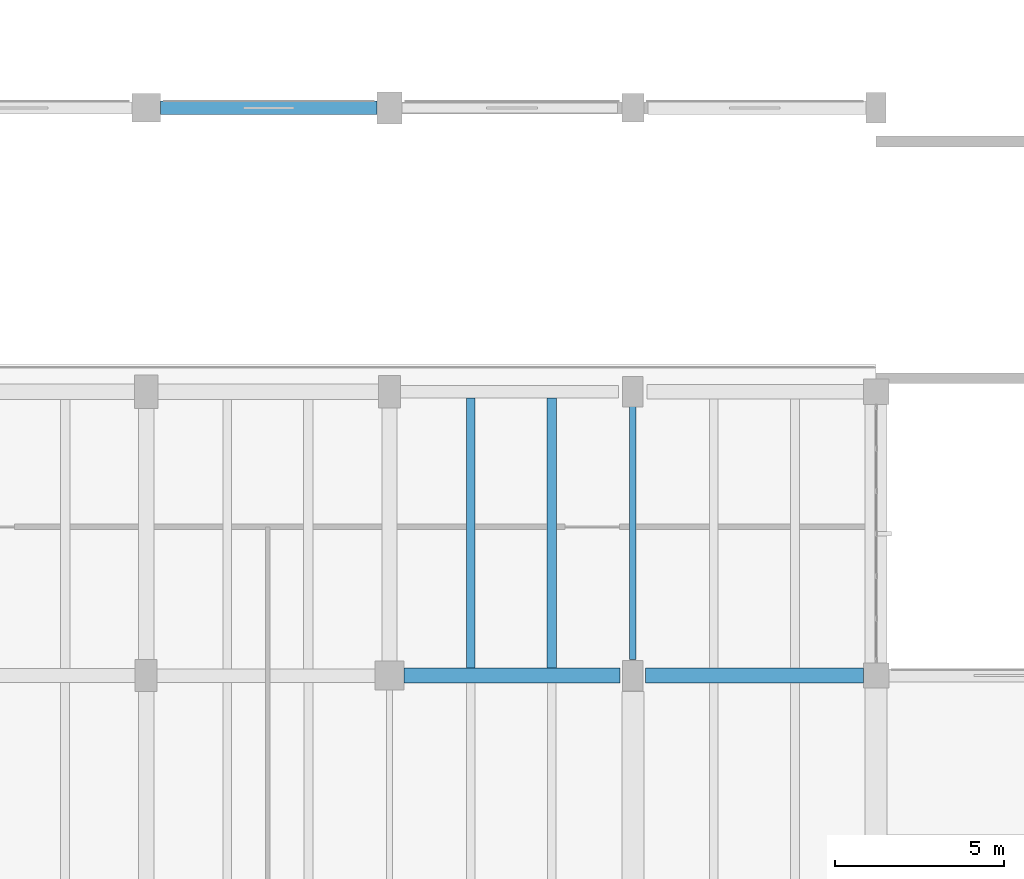
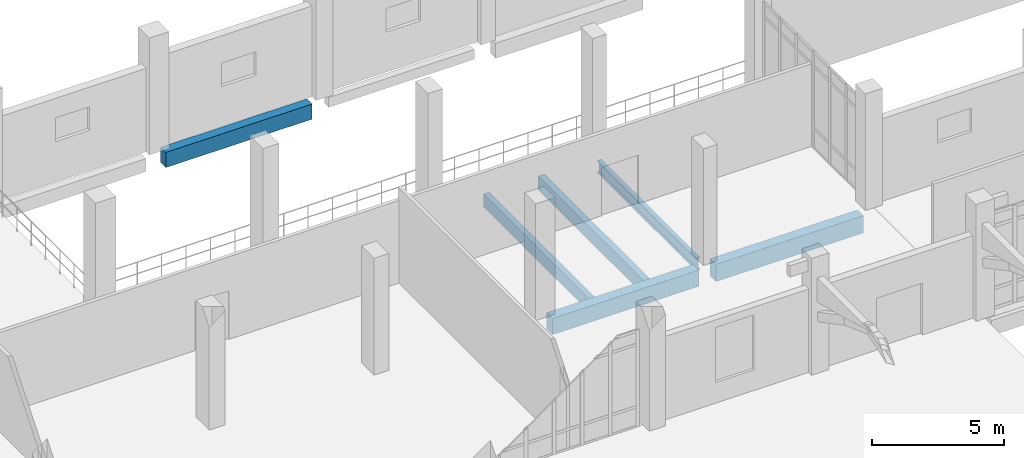
# One storey, part 57 of 110: 6 beams.
"""IFC4 building model written with IfcOpenShell, lengths in metres."""

from ifc_helpers import new_model, si_unit, direction, frame, origin, origin_2d, place, context, subcontext, project, spatial, rectangle, i_section, extrude, material, material_profile, profile_set, type_object, element, save


model = new_model("IFC4")

# Units and contexts
model_context = context("Model", 3, precision=1e-05, world=origin(), true_north=direction((0.0, 1.0)))
body_context = subcontext(model_context, "Body", "Model", "MODEL_VIEW")
ifc_project = project(units=[si_unit("LENGTHUNIT", "METRE"), si_unit("AREAUNIT", "SQUARE_METRE"), si_unit("VOLUMEUNIT", "CUBIC_METRE"), si_unit("PLANEANGLEUNIT", "RADIAN"), si_unit("MASSUNIT", "GRAM", prefix="KILO")], contexts=[model_context])

# Site, building, storey
site_placement = place(None, origin())
site = spatial("IfcSite", under=ifc_project, at=site_placement, CompositionType="ELEMENT")
building_placement = place(site_placement, origin())
building = spatial("IfcBuilding", under=site, at=building_placement, Name="Kalluvel Institute of Natural Sciences", CompositionType="ELEMENT")
storey_placement = place(building_placement, origin())
storey = spatial("IfcBuildingStorey", under=building, at=storey_placement, Name="L00", CompositionType="ELEMENT", Elevation=0.0)

# Beams
ifc_material_1 = material(Name="Steel E350 Grade 350", Category="steel")
ifc_material_profile_1 = material_profile(ifc_material_1, i_section(OverallWidth=0.18994140625, OverallDepth=0.550048828125, WebThickness=0.01123046875, FlangeThickness=0.019287109375, FilletRadius=0.01806640625, at=origin_2d()), Name="ISMB 550")
ifc_profile_set_1 = profile_set([ifc_material_profile_1], Name="Steel E350 Grade 350")
beam_type_1 = type_object("IfcBeamType", Name="BM-ISMB550", PredefinedType="BEAM", material=ifc_profile_set_1)
beam_1_placement = place(storey_placement, frame((107.60009765625, 111.675048828125, -0.594970703125), z_axis=(0.0, 1.0, 0.0), x_axis=(-1.0, 0.0, 0.0)))
element("IfcBeam", 1, at=beam_1_placement, inside=storey, type_object=beam_type_1, Name="L00 girder GIR-L00-NS-X1076-Y1112", PredefinedType="BEAM", context=body_context, shape_type="SweptSolid", body=[
    extrude(i_section(OverallWidth=0.18994140625, OverallDepth=0.550048828125, WebThickness=0.01123046875, FlangeThickness=0.019287109375, FilletRadius=0.01806640625, at=origin_2d()), origin(), (0.0, 0.0, 1.0), 7.5),
])
ifc_material_2 = material(Name="Concrete M40", Category="concrete")
ifc_material_profile_2 = material_profile(ifc_material_2, rectangle(XDim=0.449951171875, YDim=0.75, at=origin_2d()), Name="RCB 450x750")
ifc_profile_set_2 = profile_set([ifc_material_profile_2], Name="Concrete M40")
beam_type_2 = type_object("IfcBeamType", Name="BM-RC450x750", PredefinedType="BEAM", material=ifc_profile_set_2)
beam_2_placement = place(storey_placement, frame((100.824951171875, 111.199951171875, -0.695068359375), z_axis=(1.0, 0.0, 0.0), x_axis=(0.0, 1.0, 0.0)))
element("IfcBeam", 2, at=beam_2_placement, inside=storey, type_object=beam_type_2, Name="L00 girder GIR-L00-EW-X1004-Y1112", PredefinedType="BEAM", context=body_context, shape_type="SweptSolid", body=[
    extrude(rectangle(XDim=0.449951171875, YDim=0.75, at=origin_2d()), origin(), (0.0, 0.0, 1.0), 6.400146484375),
])
ifc_material_profile_3 = material_profile(ifc_material_2, rectangle(XDim=0.449951171875, YDim=0.800048828125, at=origin_2d()), Name="RCB 450x800")
ifc_profile_set_3 = profile_set([ifc_material_profile_3], Name="Concrete M40")
beam_type_3 = type_object("IfcBeamType", Name="BM-RC450x800", PredefinedType="BEAM", material=ifc_profile_set_3)
beam_3_placement = place(storey_placement, frame((107.97509765625, 111.199951171875, -0.719970703125), z_axis=(1.0, 0.0, 0.0), x_axis=(0.0, 1.0, 0.0)))
element("IfcBeam", 3, at=beam_3_placement, inside=storey, type_object=beam_type_3, Name="L00 girder GIR-L00-EW-X1076-Y1112", PredefinedType="BEAM", context=body_context, shape_type="SweptSolid", body=[
    extrude(rectangle(XDim=0.449951171875, YDim=0.800048828125, at=origin_2d()), origin(), (0.0, 0.0, 1.0), 6.449951171875),
])
ifc_material_profile_4 = material_profile(ifc_material_2, rectangle(XDim=0.39990234375, YDim=0.699951171875, at=origin_2d()), Name="RCB 400x700")
ifc_profile_set_4 = profile_set([ifc_material_profile_4], Name="Concrete M40")
beam_type_4 = type_object("IfcBeamType", Name="SP-RC400x700", PredefinedType="SPANDREL", material=ifc_profile_set_4)
beam_4_placement = place(storey_placement, frame((93.625, 128.0, -0.669921875), z_axis=(1.0, 0.0, 0.0), x_axis=(0.0, 1.0, 0.0)))
element("IfcBeam", 4, at=beam_4_placement, inside=storey, type_object=beam_type_4, Name="L00 girder GIR-L00-EW-X932-Y1280", PredefinedType="SPANDREL", context=body_context, shape_type="SweptSolid", body=[
    extrude(rectangle(XDim=0.39990234375, YDim=0.699951171875, at=origin_2d()), origin(), (0.0, 0.0, 1.0), 6.39990234375),
])
ifc_material_profile_5 = material_profile(ifc_material_2, rectangle(XDim=0.25, YDim=0.60009765625, at=origin_2d()), Name="WAF 250x600")
ifc_profile_set_5 = profile_set([ifc_material_profile_5], Name="Concrete M40")
beam_type_5 = type_object("IfcBeamType", Name="WJ-250x600", PredefinedType="JOIST", material=ifc_profile_set_5)
beam_5_placement = place(storey_placement, frame((102.800048828125, 111.425048828125, -0.6201171875), z_axis=(0.0, 1.0, 0.0), x_axis=(-1.0, 0.0, 0.0)))
element("IfcBeam", 5, at=beam_5_placement, inside=storey, type_object=beam_type_5, Name="L00 waffle joist RIB-L00-0062", PredefinedType="JOIST", context=body_context, shape_type="SweptSolid", body=[
    extrude(rectangle(XDim=0.25, YDim=0.60009765625, at=origin_2d()), origin(), (0.0, 0.0, 1.0), 7.98486328125),
])
ifc_material_3 = material(Name="Concrete M50", Category="concrete")
ifc_material_profile_6 = material_profile(ifc_material_3, rectangle(XDim=0.280029296875, YDim=0.64990234375, at=origin_2d()), Name="WAF 280x650")
ifc_profile_set_6 = profile_set([ifc_material_profile_6], Name="Concrete M50")
beam_type_6 = type_object("IfcBeamType", Name="WJ-280x650", PredefinedType="JOIST", material=ifc_profile_set_6)
beam_6_placement = place(storey_placement, frame((105.199951171875, 111.425048828125, -0.64501953125), z_axis=(0.0, 1.0, 0.0), x_axis=(-1.0, 0.0, 0.0)))
element("IfcBeam", 6, at=beam_6_placement, inside=storey, type_object=beam_type_6, Name="L00 waffle joist RIB-L00-0063", PredefinedType="JOIST", context=body_context, shape_type="SweptSolid", body=[
    extrude(rectangle(XDim=0.280029296875, YDim=0.64990234375, at=origin_2d()), origin(), (0.0, 0.0, 1.0), 7.98486328125),
])

save(model, "model.ifc")
